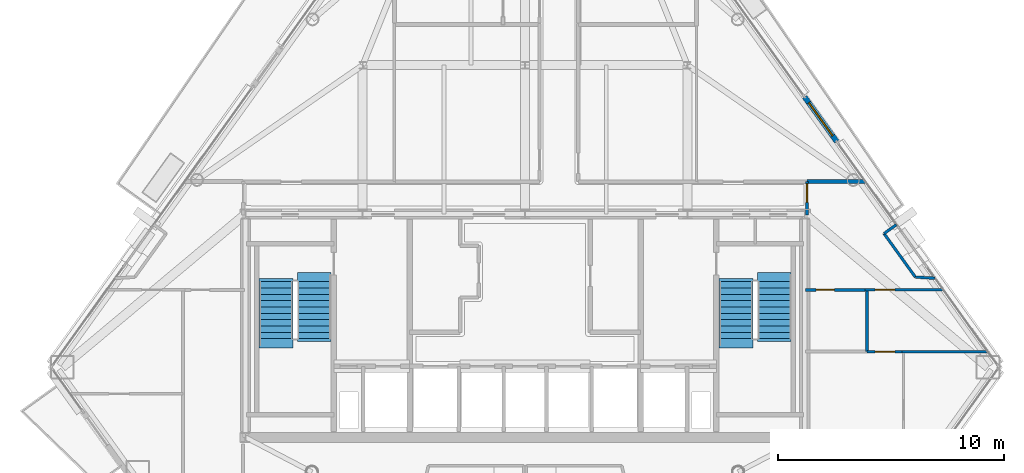
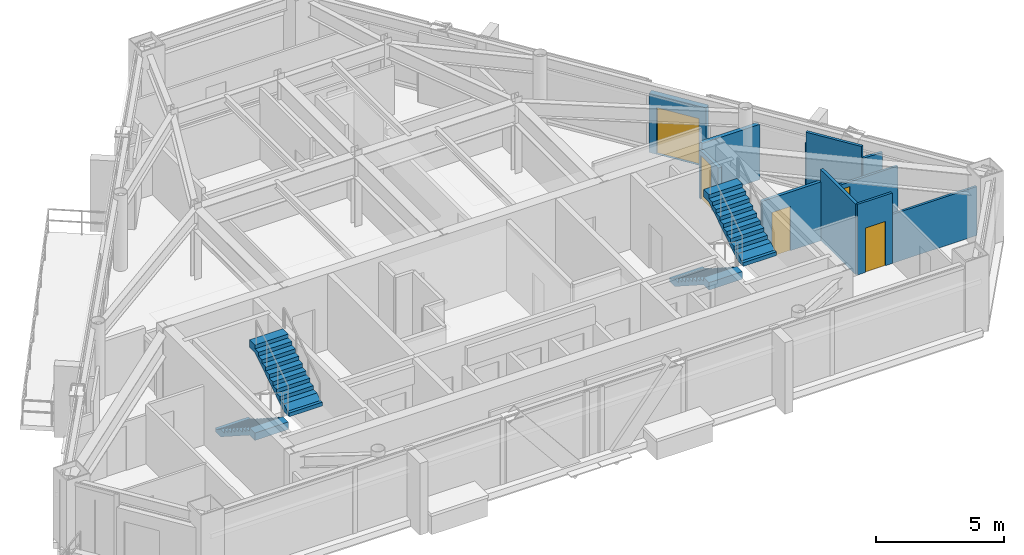
# One storey, part 10 of 12: 11 walls, 5 doors, 4 stair flights, 5 openings, 2 elements without a shape of their own.
"""IFC4 building model written with IfcOpenShell, lengths in metres."""

from ifc_helpers import new_model, si_unit, direction, frame, frame_2d, origin, place, context, subcontext, project, spatial, polyline, rectangle, outline, extrude, material, layer, layer_set, type_object, element, fill, aggregate, save


model = new_model("IFC4")

# Units and contexts
model_context = context("Model", 3, precision=1e-05, world=origin(), true_north=direction((0.0, 1.0)))
body_context = subcontext(model_context, "Body", "Model", "MODEL_VIEW")
ifc_project = project(units=[si_unit("LENGTHUNIT", "METRE"), si_unit("AREAUNIT", "SQUARE_METRE"), si_unit("VOLUMEUNIT", "CUBIC_METRE"), si_unit("PLANEANGLEUNIT", "RADIAN"), si_unit("MASSUNIT", "GRAM", prefix="KILO")], contexts=[model_context])

# Site, building, storey
site_placement = place(None, origin())
site = spatial("IfcSite", under=ifc_project, at=site_placement, CompositionType="ELEMENT")
building_placement = place(site_placement, origin())
building = spatial("IfcBuilding", under=site, at=building_placement, Name="Talgorran Terracotta Tower", CompositionType="ELEMENT")
storey_placement = place(building_placement, frame((0.0, 0.0, 189.300048828125)))
storey = spatial("IfcBuildingStorey", under=building, at=storey_placement, Name="L49", CompositionType="ELEMENT", Elevation=189.300048828125)

# Wall, opening, door
ifc_material_1 = material(Name="Concrete C40/50", Category="concrete")
ifc_layer_1 = layer(ifc_material_1, 0.239990234375, Name="WT_BALCONY_SPAND")
ifc_layer_set_1 = layer_set([ifc_layer_1], Name="Concrete C40/50")
wall_type_1 = type_object("IfcWallType", Name="WT_BALCONY_SPAND", PredefinedType="STANDARD", material=ifc_layer_set_1)
wall_1_placement = place(storey_placement, frame((13.819091796875, -0.98681640625, -0.01513671875), z_axis=(0.0, 0.0, 1.0), x_axis=(-0.583951454754, 0.811788579921, 0.0)))
wall_1 = element("IfcWall", 1, at=wall_1_placement, inside=storey, type_object=wall_type_1, Name="WL-L49-BALP-BAL-NE", PredefinedType="STANDARD", context=body_context, shape_type="SweptSolid", body=[
    extrude(rectangle(XDim=2.43994140625, YDim=0.239990234375, at=frame_2d((1.219970703125, 0.0))), origin(), (0.0, 0.0, 1.0), 2.80712890625),
])
opening_1_placement = place(wall_1_placement, frame((0.320068359375, 0.0, 0.014892578125)))
opening_1 = element("IfcOpeningElement", 2, at=opening_1_placement, cuts=wall_1, Name="Opening D-BAL-L49-1", PredefinedType="OPENING", context=body_context, shape_type="SweptSolid", body=[
    extrude(rectangle(XDim=1.806048828125, YDim=2.203951171875, at=frame_2d((0.89990234375, 1.10205078125))), frame((0.0, 0.1298828125, 0.0), z_axis=(0.0, -1.0, 0.0), x_axis=(1.0, 0.0, 0.0)), (0.0, 0.0, 1.0), 0.260009765625),
])
ifc_material_2 = material(Name="Thermally Broken Aluminium", Category="aluminium")
door_type_1 = type_object("IfcDoorType", Name="DT_BALC_1800", OperationType="SLIDING_TO_LEFT", PredefinedType="DOOR", material=ifc_material_2)
door_1_placement = place(opening_1_placement, origin())
door_1 = element("IfcDoor", 3, at=door_1_placement, inside=storey, type_object=door_type_1, Name="DR-L49-BAL-BAL-NE", OperationType="SLIDING_TO_LEFT", OverallHeight=2.199951171875, OverallWidth=1.800048828125, PredefinedType="DOOR", context=body_context, shape_type="SweptSolid", body=[
    extrude(rectangle(XDim=1.800048828125, YDim=2.199951171875, at=frame_2d((0.89990234375, 1.10009765625))), frame((0.0, 0.02490234375, 0.0), z_axis=(0.0, -1.0, 0.0), x_axis=(1.0, 0.0, 0.0)), (0.0, 0.0, 1.0), 0.050048828125),
])
fill(opening_1, door_1)

ifc_material_3 = material(Name="Fire-Rated Steel Stud Plasterboard", Category="steel")
ifc_layer_2 = layer(ifc_material_3, 0.14990234375, Name="WT_FIRE_150")
ifc_layer_set_2 = layer_set([ifc_layer_2], Name="Fire-Rated Steel Stud Plasterboard")
wall_type_2 = type_object("IfcWallType", Name="WT_FIRE_150", PredefinedType="PARTITIONING", material=ifc_layer_set_2)
wall_2_placement = place(storey_placement, frame((12.5, -4.239990234375, 0.0), z_axis=(0.0, 0.0, 1.0), x_axis=(0.0, 1.0, 0.0)))
wall_2 = element("IfcWall", 4, at=wall_2_placement, inside=storey, type_object=wall_type_2, Name="WL-L49-W-L49-R02", PredefinedType="PARTITIONING", context=body_context, shape_type="SweptSolid", body=[
    extrude(rectangle(XDim=1.47998046875, YDim=0.14990234375, at=frame_2d((0.739990234375, 0.0))), origin(), (0.0, 0.0, 1.0), 2.324951171875),
])
opening_2_placement = place(wall_2_placement, frame((0.56005859375, 0.0, 0.0)))
opening_2 = element("IfcOpeningElement", 5, at=opening_2_placement, cuts=wall_2, Name="Opening DR-L49-R04", PredefinedType="OPENING", context=body_context, shape_type="SweptSolid", body=[
    extrude(rectangle(XDim=0.826068359375, YDim=2.10409765625, at=frame_2d((0.41015625, 1.052001953125))), frame((0.0, 0.0849609375, 0.0), z_axis=(0.0, -1.0, 0.0), x_axis=(1.0, 0.0, 0.0)), (0.0, 0.0, 1.0), 0.169921875),
])
ifc_material_4 = material(Name="Moisture-Resistant Solid Timber", Category="wood")
door_type_2 = type_object("IfcDoorType", Name="DT_INT_820", OperationType="NOTDEFINED", PredefinedType="DOOR", material=ifc_material_4)
door_2_placement = place(opening_2_placement, origin())
door_2 = element("IfcDoor", 6, at=door_2_placement, inside=storey, type_object=door_type_2, Name="DR-L49-R04", OperationType="SINGLE_SWING_RIGHT", OverallHeight=2.10009765625, OverallWidth=0.820068359375, PredefinedType="DOOR", context=body_context, shape_type="SweptSolid", body=[
    extrude(rectangle(XDim=0.820068359375, YDim=2.10009765625, at=frame_2d((0.41015625, 1.050048828125))), frame((0.0, 0.02490234375, 0.0), z_axis=(0.0, -1.0, 0.0), x_axis=(1.0, 0.0, 0.0)), (0.0, 0.0, 1.0), 0.050048828125),
])
fill(opening_2, door_2)

# Walls
ifc_material_5 = material(Name="Acoustic Stud and Plasterboard")
ifc_layer_3 = layer(ifc_material_5, 0.179931640625, Name="WT_PARTY_200")
ifc_layer_set_3 = layer_set([ifc_layer_3], Name="Acoustic Stud and Plasterboard")
wall_type_3 = type_object("IfcWallType", Name="WT_PARTY_200", PredefinedType="PARTITIONING", material=ifc_layer_set_3)
wall_3_placement = place(storey_placement, frame((12.5, -2.760009765625, 0.0), z_axis=(0.0, 0.0, 1.0), x_axis=(1.0, 0.0, 0.0)))
element("IfcWall", 7, at=wall_3_placement, inside=storey, type_object=wall_type_3, Name="WL-L49-W-L49-R20", PredefinedType="PARTITIONING", context=body_context, shape_type="SweptSolid", body=[
    extrude(rectangle(XDim=2.5947265625, YDim=0.179931640625, at=frame_2d((1.29736328125, 0.0))), origin(), (0.0, 0.0, 1.0), 2.625),
])
ifc_material_6 = material(Name="Lightweight Steel Stud Partition", Category="steel")
ifc_layer_4 = layer(ifc_material_6, 0.10498046875, Name="WT_PART_110")
ifc_layer_set_4 = layer_set([ifc_layer_4], Name="Lightweight Steel Stud Partition")
wall_type_4 = type_object("IfcWallType", Name="WT_PART_110", PredefinedType="PARTITIONING", material=ifc_layer_set_4)
wall_4_placement = place(storey_placement, frame((16.719970703125, -10.300048828125, 0.0), z_axis=(0.0, 0.0, 1.0), x_axis=(1.0, 0.0, 0.0)))
element("IfcWall", 8, at=wall_4_placement, inside=storey, type_object=wall_type_4, Name="WL-L49-W-L49-R24", PredefinedType="PARTITIONING", context=body_context, shape_type="SweptSolid", body=[
    extrude(rectangle(XDim=3.799072265625, YDim=0.10498046875, at=frame_2d((1.8994140625, 0.0))), origin(), (0.0, 0.0, 1.0), 2.324951171875),
])

# Wall, opening, door
wall_5_placement = place(storey_placement, frame((15.080078125, -7.56005859375, 0.0), z_axis=(0.0, 0.0, 1.0), x_axis=(1.0, 0.0, 0.0)))
wall_5 = element("IfcWall", 9, at=wall_5_placement, inside=storey, type_object=wall_type_4, Name="WL-L49-W-L49-R19", PredefinedType="PARTITIONING", context=body_context, shape_type="SweptSolid", body=[
    extrude(rectangle(XDim=3.4677734375, YDim=0.10498046875, at=frame_2d((1.73388671875, 0.0))), origin(), (0.0, 0.0, 1.0), 2.324951171875),
])
opening_3_placement = place(wall_5_placement, frame((0.435791015625, 0.0, 0.0)))
opening_3 = element("IfcOpeningElement", 10, at=opening_3_placement, cuts=wall_5, Name="Opening DR-L49-R06", PredefinedType="OPENING", context=body_context, shape_type="SweptSolid", body=[
    extrude(rectangle(XDim=0.8858828125, YDim=2.10409765625, at=frame_2d((0.43994140625, 1.052001953125))), frame((0.0, 0.0625, 0.0), z_axis=(0.0, -1.0, 0.0), x_axis=(1.0, 0.0, 0.0)), (0.0, 0.0, 1.0), 0.125),
])
ifc_material_7 = material(Name="Solid-Core Painted Timber", Category="wood")
door_type_3 = type_object("IfcDoorType", Name="DT_INT_880", OperationType="NOTDEFINED", PredefinedType="DOOR", material=ifc_material_7)
door_3_placement = place(opening_3_placement, origin())
door_3 = element("IfcDoor", 11, at=door_3_placement, inside=storey, type_object=door_type_3, Name="DR-L49-R06", OperationType="SINGLE_SWING_RIGHT", OverallHeight=2.10009765625, OverallWidth=0.8798828125, PredefinedType="DOOR", context=body_context, shape_type="SweptSolid", body=[
    extrude(rectangle(XDim=0.8798828125, YDim=2.10009765625, at=frame_2d((0.43994140625, 1.050048828125))), frame((0.0, 0.02490234375, 0.0), z_axis=(0.0, -1.0, 0.0), x_axis=(1.0, 0.0, 0.0)), (0.0, 0.0, 1.0), 0.050048828125),
])
fill(opening_3, door_3)

wall_6_placement = place(storey_placement, frame((15.159912109375, -10.300048828125, 0.0), z_axis=(0.0, 0.0, 1.0), x_axis=(1.0, 0.0, 0.0)))
wall_6 = element("IfcWall", 12, at=wall_6_placement, inside=storey, type_object=wall_type_4, Name="WL-L49-W-L49-R23", PredefinedType="PARTITIONING", context=body_context, shape_type="SweptSolid", body=[
    extrude(rectangle(XDim=1.55810546875, YDim=0.10498046875, at=frame_2d((0.779052734375, 0.0))), origin(), (0.0, 0.0, 1.0), 3.349853515625),
])
opening_4_placement = place(wall_6_placement, frame((0.360107421875, 0.0, 0.0)))
opening_4 = element("IfcOpeningElement", 13, at=opening_4_placement, cuts=wall_6, Name="Opening DR-L49-R07", PredefinedType="OPENING", context=body_context, shape_type="SweptSolid", body=[
    extrude(rectangle(XDim=0.8858828125, YDim=2.10409765625, at=frame_2d((0.43994140625, 1.052001953125))), frame((0.0, 0.0625, 0.0), z_axis=(0.0, -1.0, 0.0), x_axis=(1.0, 0.0, 0.0)), (0.0, 0.0, 1.0), 0.125),
])
door_4_placement = place(opening_4_placement, origin())
door_4 = element("IfcDoor", 14, at=door_4_placement, inside=storey, type_object=door_type_3, Name="DR-L49-R07", OperationType="SINGLE_SWING_LEFT", OverallHeight=2.10009765625, OverallWidth=0.8798828125, PredefinedType="DOOR", context=body_context, shape_type="SweptSolid", body=[
    extrude(rectangle(XDim=0.8798828125, YDim=2.10009765625, at=frame_2d((0.43994140625, 1.050048828125))), frame((0.0, 0.02490234375, 0.0), z_axis=(0.0, -1.0, 0.0), x_axis=(1.0, 0.0, 0.0)), (0.0, 0.0, 1.0), 0.050048828125),
])
fill(opening_4, door_4)

# Walls
ifc_material_8 = material(Name="Insulated Steel Stud Plasterboard", Category="steel")
ifc_layer_5 = layer(ifc_material_8, 0.1201171875, Name="WT_PART_120")
ifc_layer_set_5 = layer_set([ifc_layer_5], Name="Insulated Steel Stud Plasterboard")
wall_type_5 = type_object("IfcWallType", Name="WT_PART_120", PredefinedType="PARTITIONING", material=ifc_layer_set_5)
wall_7_placement = place(storey_placement, frame((17.3037109375, -6.994873046875, 0.0), z_axis=(0.0, 0.0, 1.0), x_axis=(-0.58403154631, 0.811730960919, 0.0)))
element("IfcWall", 15, at=wall_7_placement, inside=storey, type_object=wall_type_5, Name="WL-L49-BW-L49-12", PredefinedType="PARTITIONING", context=body_context, shape_type="SweptSolid", body=[
    extrude(rectangle(XDim=2.378173828125, YDim=0.1201171875, at=frame_2d((1.18896484375, 0.0))), origin(), (0.0, 0.0, 1.0), 3.349853515625),
])
wall_8_placement = place(storey_placement, frame((18.164306640625, -7.0439453125, 0.0), z_axis=(0.0, 0.0, 1.0), x_axis=(-0.998378240711, 0.056928801811, 0.0)))
element("IfcWall", 16, at=wall_8_placement, inside=storey, type_object=wall_type_5, Name="WL-L49-BW-L49-11", PredefinedType="PARTITIONING", context=body_context, shape_type="SweptSolid", body=[
    extrude(rectangle(XDim=0.862060546875, YDim=0.1201171875, at=frame_2d((0.43115234375, 0.0))), origin(), (0.0, 0.0, 1.0), 2.7919921875),
])
wall_9_placement = place(storey_placement, frame((15.914794921875, -5.064453125, 0.0), z_axis=(0.0, 0.0, 1.0), x_axis=(0.811907418628, 0.583786213932, 0.0)))
element("IfcWall", 17, at=wall_9_placement, inside=storey, type_object=wall_type_5, Name="WL-L49-BW-L49-10", PredefinedType="PARTITIONING", context=body_context, shape_type="SweptSolid", body=[
    extrude(rectangle(XDim=0.669921875, YDim=0.1201171875, at=frame_2d((0.3349609375, 0.0))), origin(), (0.0, 0.0, 1.0), 2.7919921875),
])

# Wall, opening, door
ifc_material_9 = material(Name="Moisture-Resistant Stud Wall")
ifc_layer_6 = layer(ifc_material_9, 0.135009765625, Name="WT_PART_135")
ifc_layer_set_6 = layer_set([ifc_layer_6], Name="Moisture-Resistant Stud Wall")
wall_type_6 = type_object("IfcWallType", Name="WT_PART_135", PredefinedType="PARTITIONING", material=ifc_layer_set_6)
wall_10_placement = place(storey_placement, frame((12.43994140625, -7.56005859375, 0.0), z_axis=(0.0, 0.0, 1.0), x_axis=(1.0, 0.0, 0.0)))
wall_10 = element("IfcWall", 18, at=wall_10_placement, inside=storey, type_object=wall_type_6, Name="WL-L49-W-L49-R18", PredefinedType="PARTITIONING", context=body_context, shape_type="SweptSolid", body=[
    extrude(rectangle(XDim=2.637939453125, YDim=0.135009765625, at=frame_2d((1.31884765625, 0.0))), origin(), (0.0, 0.0, 1.0), 2.7919921875),
])
opening_5_placement = place(wall_10_placement, frame((0.457763671875, 0.0, 0.0)))
opening_5 = element("IfcOpeningElement", 19, at=opening_5_placement, cuts=wall_10, Name="Opening DR-L49-R05", PredefinedType="OPENING", context=body_context, shape_type="SweptSolid", body=[
    extrude(rectangle(XDim=0.826068359375, YDim=2.10409765625, at=frame_2d((0.41015625, 1.052001953125))), frame((0.0, 0.07763671875, 0.0), z_axis=(0.0, -1.0, 0.0), x_axis=(1.0, 0.0, 0.0)), (0.0, 0.0, 1.0), 0.155029296875),
])
door_5_placement = place(opening_5_placement, origin())
door_5 = element("IfcDoor", 20, at=door_5_placement, inside=storey, type_object=door_type_2, Name="DR-L49-R05", OperationType="SINGLE_SWING_LEFT", OverallHeight=2.10009765625, OverallWidth=0.820068359375, PredefinedType="DOOR", context=body_context, shape_type="SweptSolid", body=[
    extrude(rectangle(XDim=0.820068359375, YDim=2.10009765625, at=frame_2d((0.41015625, 1.050048828125))), frame((0.0, 0.02490234375, 0.0), z_axis=(0.0, -1.0, 0.0), x_axis=(1.0, 0.0, 0.0)), (0.0, 0.0, 1.0), 0.050048828125),
])
fill(opening_5, door_5)

# Wall
wall_11_placement = place(storey_placement, frame((15.159912109375, -10.300048828125, 0.0), z_axis=(0.0, 0.0, 1.0), x_axis=(0.0, 1.0, 0.0)))
element("IfcWall", 21, at=wall_11_placement, inside=storey, type_object=wall_type_6, Name="WL-L49-W-L49-R21", PredefinedType="PARTITIONING", context=body_context, shape_type="SweptSolid", body=[
    extrude(rectangle(XDim=2.739990234375, YDim=0.135009765625, at=frame_2d((1.3701171875, 0.0))), origin(), (0.0, 0.0, 1.0), 3.349853515625),
])

# Stair, stair flights
stair_type = type_object("IfcStairType", Name="ST_FIRE_SCISSOR", PredefinedType="HALF_TURN_STAIR", material=ifc_material_1)
stair_1_placement = place(storey_placement, origin())
stair_1 = element("IfcStair", 22, at=stair_1_placement, inside=storey, type_object=stair_type, Name="L49 West Protected Fire Stair ST-01", PredefinedType="HALF_TURN_STAIR")
ifc_layer_7 = layer(ifc_material_1, 0.179931640625, Name="STF_RC_1500")
ifc_layer_set_7 = layer_set([ifc_layer_7], Name="Concrete C40/50")
stair_flight_type = type_object("IfcStairFlightType", Name="STF_RC_1500", PredefinedType="STRAIGHT", material=ifc_layer_set_7)
stair_flight_1_placement = place(storey_placement, frame((-11.050048828125, -7.199951171875, 0.0), z_axis=(0.0, 0.0, 1.0), x_axis=(0.0, -1.0, 0.0)))
stair_flight_1 = element("IfcStairFlight", 23, at=stair_flight_1_placement, type_object=stair_flight_type, Name="ST-01 flight 1", NumberOfRisers=10, NumberOfTreads=9, PredefinedType="STRAIGHT", RiserHeight=0.18, TreadLength=0.28, context=body_context, shape_type="SweptSolid", body=[
    extrude(outline(polyline([(-0.139892578125, 0.0), (-0.139892578125, 0.179931640625), (0.0, 0.179931640625), (0.280029296875, 0.360107421875), (0.56005859375, 0.360107421875), (0.56005859375, 0.5400390625), (0.840087890625, 0.5400390625), (0.840087890625, 0.719970703125), (1.1201171875, 0.719970703125), (1.1201171875, 0.89990234375), (1.39990234375, 0.89990234375), (1.39990234375, 1.080078125), (1.679931640625, 1.080078125), (1.679931640625, 1.260009765625), (1.9599609375, 1.260009765625), (1.9599609375, 1.43994140625), (2.239990234375, 1.43994140625), (2.239990234375, 1.6201171875), (2.52001953125, 1.6201171875), (2.52001953125, 1.800048828125), (2.93994140625, 1.800048828125), (2.93994140625, 1.44189453125), (2.52001953125, 1.44189453125), (0.277099609375, 0.0), (-0.139892578125, 0.0)])), frame((0.0, 0.75, 0.0), z_axis=(0.0, -1.0, 0.0), x_axis=(1.0, 0.0, 0.0)), (0.0, 0.0, 1.0), 1.5),
])
stair_flight_2_placement = place(storey_placement, frame((-9.35009765625, -9.719970703125, 1.800048828125), z_axis=(0.0, 0.0, 1.0), x_axis=(0.0, 1.0, 0.0)))
stair_flight_2 = element("IfcStairFlight", 24, at=stair_flight_2_placement, type_object=stair_flight_type, Name="ST-01 flight 2", NumberOfRisers=10, NumberOfTreads=9, PredefinedType="STRAIGHT", RiserHeight=0.18, TreadLength=0.28, context=body_context, shape_type="SweptSolid", body=[
    extrude(outline(polyline([(-0.139892578125, 0.0), (-0.139892578125, 0.179931640625), (0.0, 0.179931640625), (0.280029296875, 0.360107421875), (0.56005859375, 0.360107421875), (0.56005859375, 0.5400390625), (0.840087890625, 0.5400390625), (0.840087890625, 0.719970703125), (1.1201171875, 0.719970703125), (1.1201171875, 0.89990234375), (1.39990234375, 0.89990234375), (1.39990234375, 1.080078125), (1.679931640625, 1.080078125), (1.679931640625, 1.260009765625), (1.9599609375, 1.260009765625), (1.9599609375, 1.43994140625), (2.239990234375, 1.43994140625), (2.239990234375, 1.6201171875), (2.52001953125, 1.6201171875), (2.52001953125, 1.800048828125), (2.93994140625, 1.800048828125), (2.93994140625, 1.44189453125), (2.52001953125, 1.44189453125), (0.277099609375, 0.0), (-0.139892578125, 0.0)])), frame((0.0, 0.75, 0.0), z_axis=(0.0, -1.0, 0.0), x_axis=(1.0, 0.0, 0.0)), (0.0, 0.0, 1.0), 1.5),
])
aggregate(stair_1, [stair_flight_1, stair_flight_2])

stair_2_placement = place(storey_placement, origin())
stair_2 = element("IfcStair", 25, at=stair_2_placement, inside=storey, type_object=stair_type, Name="L49 East Protected Fire Stair ST-02", PredefinedType="HALF_TURN_STAIR")
stair_flight_3_placement = place(storey_placement, frame((9.35009765625, -7.199951171875, 0.0), z_axis=(0.0, 0.0, 1.0), x_axis=(0.0, -1.0, 0.0)))
stair_flight_3 = element("IfcStairFlight", 26, at=stair_flight_3_placement, type_object=stair_flight_type, Name="ST-02 flight 1", NumberOfRisers=10, NumberOfTreads=9, PredefinedType="STRAIGHT", RiserHeight=0.18, TreadLength=0.28, context=body_context, shape_type="SweptSolid", body=[
    extrude(outline(polyline([(-0.139892578125, 0.0), (-0.139892578125, 0.179931640625), (0.0, 0.179931640625), (0.280029296875, 0.360107421875), (0.56005859375, 0.360107421875), (0.56005859375, 0.5400390625), (0.840087890625, 0.5400390625), (0.840087890625, 0.719970703125), (1.1201171875, 0.719970703125), (1.1201171875, 0.89990234375), (1.39990234375, 0.89990234375), (1.39990234375, 1.080078125), (1.679931640625, 1.080078125), (1.679931640625, 1.260009765625), (1.9599609375, 1.260009765625), (1.9599609375, 1.43994140625), (2.239990234375, 1.43994140625), (2.239990234375, 1.6201171875), (2.52001953125, 1.6201171875), (2.52001953125, 1.800048828125), (2.93994140625, 1.800048828125), (2.93994140625, 1.44189453125), (2.52001953125, 1.44189453125), (0.277099609375, 0.0), (-0.139892578125, 0.0)])), frame((0.0, 0.75, 0.0), z_axis=(0.0, -1.0, 0.0), x_axis=(1.0, 0.0, 0.0)), (0.0, 0.0, 1.0), 1.5),
])
stair_flight_4_placement = place(storey_placement, frame((11.050048828125, -9.719970703125, 1.800048828125), z_axis=(0.0, 0.0, 1.0), x_axis=(0.0, 1.0, 0.0)))
stair_flight_4 = element("IfcStairFlight", 27, at=stair_flight_4_placement, type_object=stair_flight_type, Name="ST-02 flight 2", NumberOfRisers=10, NumberOfTreads=9, PredefinedType="STRAIGHT", RiserHeight=0.18, TreadLength=0.28, context=body_context, shape_type="SweptSolid", body=[
    extrude(outline(polyline([(-0.139892578125, 0.0), (-0.139892578125, 0.179931640625), (0.0, 0.179931640625), (0.280029296875, 0.360107421875), (0.56005859375, 0.360107421875), (0.56005859375, 0.5400390625), (0.840087890625, 0.5400390625), (0.840087890625, 0.719970703125), (1.1201171875, 0.719970703125), (1.1201171875, 0.89990234375), (1.39990234375, 0.89990234375), (1.39990234375, 1.080078125), (1.679931640625, 1.080078125), (1.679931640625, 1.260009765625), (1.9599609375, 1.260009765625), (1.9599609375, 1.43994140625), (2.239990234375, 1.43994140625), (2.239990234375, 1.6201171875), (2.52001953125, 1.6201171875), (2.52001953125, 1.800048828125), (2.93994140625, 1.800048828125), (2.93994140625, 1.44189453125), (2.52001953125, 1.44189453125), (0.277099609375, 0.0), (-0.139892578125, 0.0)])), frame((0.0, 0.75, 0.0), z_axis=(0.0, -1.0, 0.0), x_axis=(1.0, 0.0, 0.0)), (0.0, 0.0, 1.0), 1.5),
])
aggregate(stair_2, [stair_flight_3, stair_flight_4])

save(model, "model.ifc")
